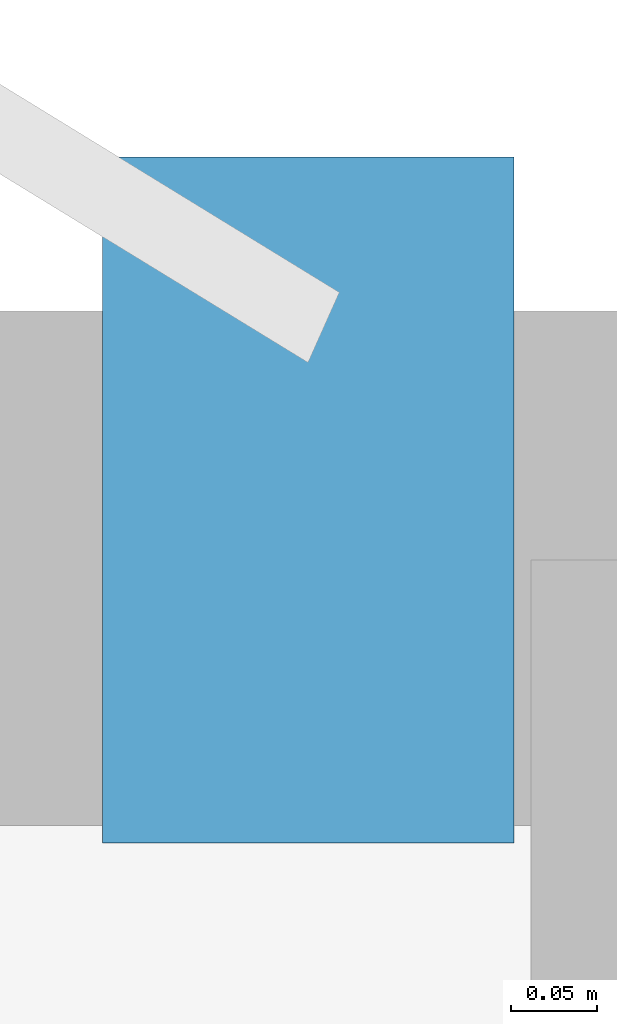
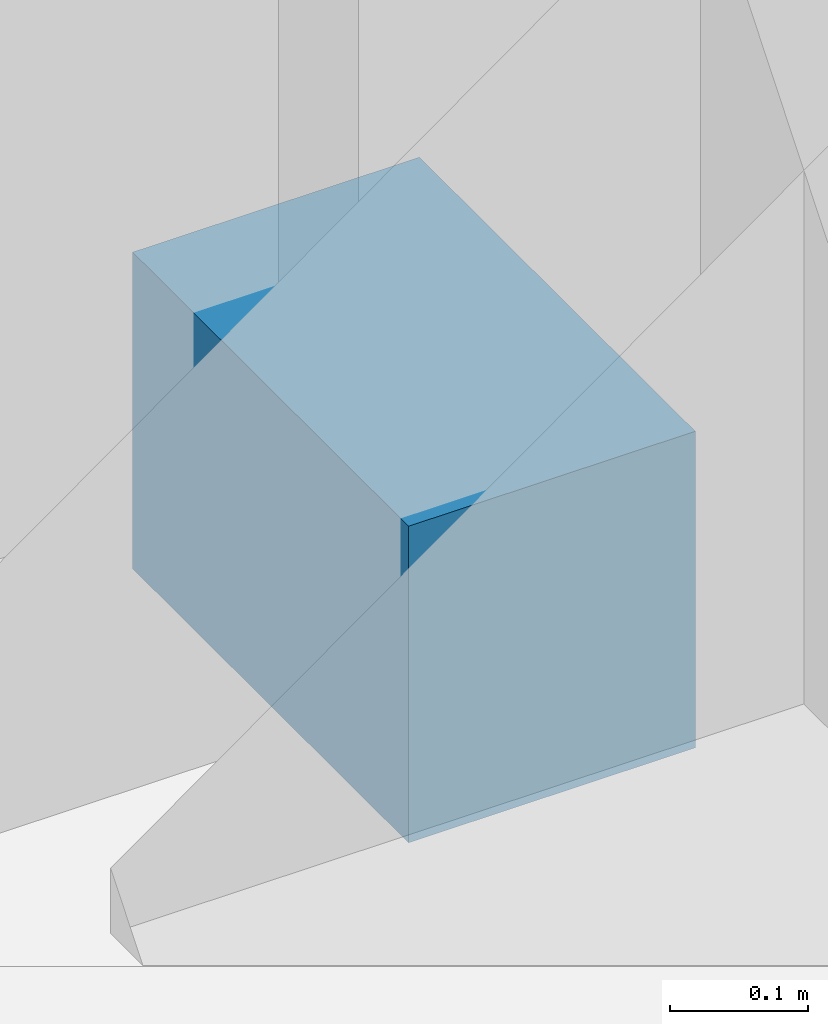
# One storey, part 18 of 21: 1 discrete accessory.
"""IFC4 building model written with IfcOpenShell, lengths in metres."""

from ifc_helpers import new_model, si_unit, direction, frame, origin, origin_2d, place, context, subcontext, project, spatial, rectangle, extrude, source, transform, mapped, material, type_object, element, save


model = new_model("IFC4")

# Units and contexts
model_context = context("Model", 3, precision=1e-05, world=origin(), true_north=direction((0.0, 1.0)))
body_context = subcontext(model_context, "Body", "Model", "MODEL_VIEW")
ifc_project = project(units=[si_unit("LENGTHUNIT", "METRE"), si_unit("AREAUNIT", "SQUARE_METRE"), si_unit("VOLUMEUNIT", "CUBIC_METRE"), si_unit("PLANEANGLEUNIT", "RADIAN"), si_unit("MASSUNIT", "GRAM", prefix="KILO")], contexts=[model_context])

# Site, building, storey
site_placement = place(None, origin())
site = spatial("IfcSite", under=ifc_project, at=site_placement, CompositionType="ELEMENT")
building_placement = place(site_placement, origin())
building = spatial("IfcBuilding", under=site, at=building_placement, Name="Khoralis Quay Care Tower", CompositionType="ELEMENT")
storey_placement = place(building_placement, frame((0.0, 0.0, 159.300048828125)))
storey = spatial("IfcBuildingStorey", under=building, at=storey_placement, Name="L41", CompositionType="ELEMENT", Elevation=159.300048828125)

# Discrete accessory
ifc_material = material(Name="Brushed stainless steel", Category="steel")
discrete_accessory_type = type_object("IfcDiscreteAccessoryType", Name="ACC-FIN-BRACKET", PredefinedType="BRACKET", material=ifc_material)
shared_shape = source(origin(), body_context, "Body", "SweptSolid", [
    extrude(rectangle(XDim=0.39990234375, YDim=0.239990234375, at=origin_2d()), origin(), (0.0, 0.0, 1.0), 0.280029296875),
])
discrete_accessory_placement = place(storey_placement, frame((36.0, 41.889892578125, -0.1201171875), z_axis=(0.0, 0.0, 1.0), x_axis=(0.0, 1.0, 0.0)))
element("IfcDiscreteAccessory", 1, at=discrete_accessory_placement, inside=storey, type_object=discrete_accessory_type, Name="L41 Solar Fin Bracket P1E10-01", PredefinedType="BRACKET", context=body_context, shape_type="MappedRepresentation", body=[
    mapped(shared_shape, transform((0.0, 0.0, 0.0), scale=1.0)),
])

save(model, "model.ifc")
